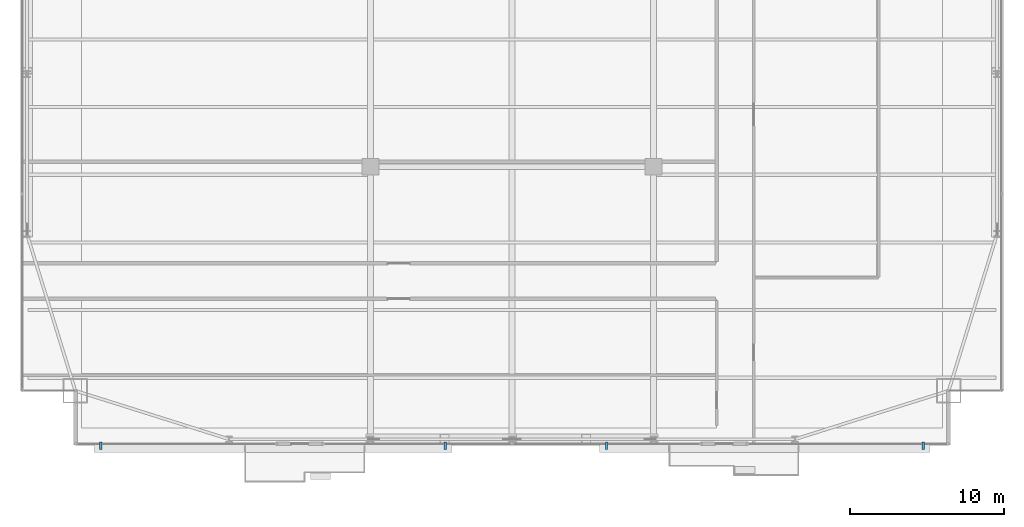
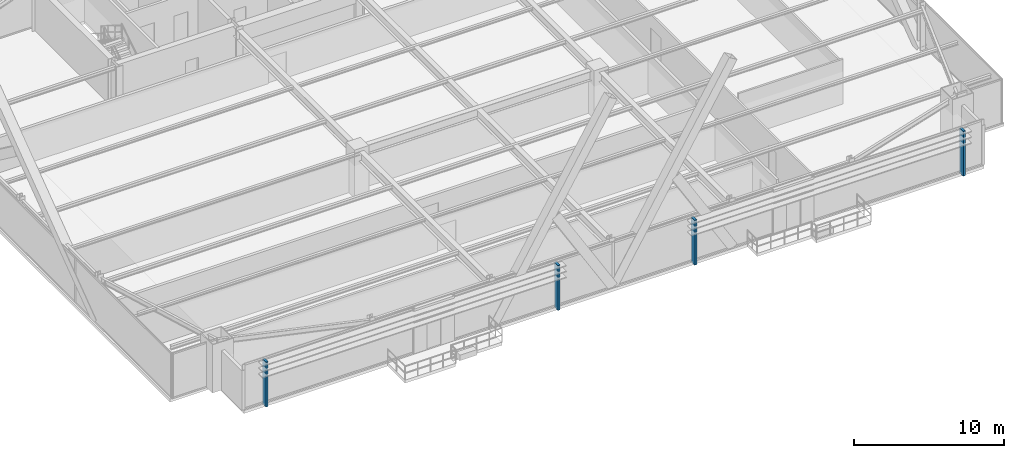
# One storey, part 30 of 32: 4 discrete accessories.
"""IFC4 building model written with IfcOpenShell, lengths in metres."""

from ifc_helpers import new_model, si_unit, direction, frame, origin, origin_2d, place, context, subcontext, project, spatial, rectangle, extrude, source, transform, mapped, material, layer, layer_set, type_object, type_shapes, element, save


model = new_model("IFC4")

# Units and contexts
model_context = context("Model", 3, precision=1e-05, world=origin(), true_north=direction((0.0, 1.0)))
body_context = subcontext(model_context, "Body", "Model", "MODEL_VIEW")
ifc_project = project(units=[si_unit("LENGTHUNIT", "METRE"), si_unit("AREAUNIT", "SQUARE_METRE"), si_unit("VOLUMEUNIT", "CUBIC_METRE"), si_unit("PLANEANGLEUNIT", "RADIAN"), si_unit("MASSUNIT", "GRAM", prefix="KILO")], contexts=[model_context])

# Site, building, storey
site_placement = place(None, origin())
site = spatial("IfcSite", under=ifc_project, at=site_placement, CompositionType="ELEMENT")
building_placement = place(site_placement, origin())
building = spatial("IfcBuilding", under=site, at=building_placement, Name="Varnel Quay Broadcast Tower", CompositionType="ELEMENT")
storey_placement = place(building_placement, frame((0.0, 0.0, 43.199951171875)))
storey = spatial("IfcBuildingStorey", under=building, at=storey_placement, Name="L09", CompositionType="ELEMENT", Elevation=43.199951171875)

# Discrete accessories
ifc_material = material(Name="Anodised Bronze Aluminium 6063-T6", Category="aluminium")
ifc_layer = layer(ifc_material, 0.47998046875, Name="Anodised Bronze Aluminium 6063-T6")
ifc_layer_set = layer_set([ifc_layer], Name="Anodised Bronze Aluminium 6063-T6")
discrete_accessory_type = type_object("IfcDiscreteAccessoryType", Name="Acc_FacadeBracket", PredefinedType="BRACKET", material=ifc_layer_set)
shared_shape = source(origin(), body_context, "Body", "SweptSolid", [
    extrude(rectangle(XDim=0.159912109375, YDim=0.47998046875, at=origin_2d()), origin(), (0.0, 0.0, 1.0), 3.64990234375),
])
type_shapes(discrete_accessory_type, [shared_shape])
for number, where, z_axis, x_axis, name in (
    (1, (7.25, 1.219970703125, -0.14990234375), (0.0, 0.0, 1.0), (1.0, 0.0, 0.0), "L09 Lobe 1 Louvre Support Bracket 1"),
    (2, (29.64501953125, 1.219970703125, -0.14990234375), (0.0, 0.0, 1.0), (1.0, 0.0, 0.0), "L09 Lobe 1 Louvre Support Bracket 2"),
    (3, (40.14501953125, 1.219970703125, -0.14990234375), (0.0, 0.0, 1.0), (1.0, 0.0, 0.0), "L09 Lobe 2 Louvre Support Bracket 1"),
    (4, (60.75, 1.219970703125, -0.14990234375), (0.0, 0.0, 1.0), (1.0, 0.0, 0.0), "L09 Lobe 2 Louvre Support Bracket 2"),
):
    element("IfcDiscreteAccessory", number, at=place(storey_placement, frame(where, z_axis=z_axis, x_axis=x_axis)), inside=storey, type_object=discrete_accessory_type, Name=name, PredefinedType="BRACKET", context=body_context, shape_type="MappedRepresentation", body=[
        mapped(shared_shape, transform((0.0, 0.0, 0.0), x_axis=(1.0, 0.0, 0.0), y_axis=(0.0, 1.0, 0.0), z_axis=(0.0, 0.0, 1.0), scale=1.0)),
    ])

save(model, "model.ifc")
